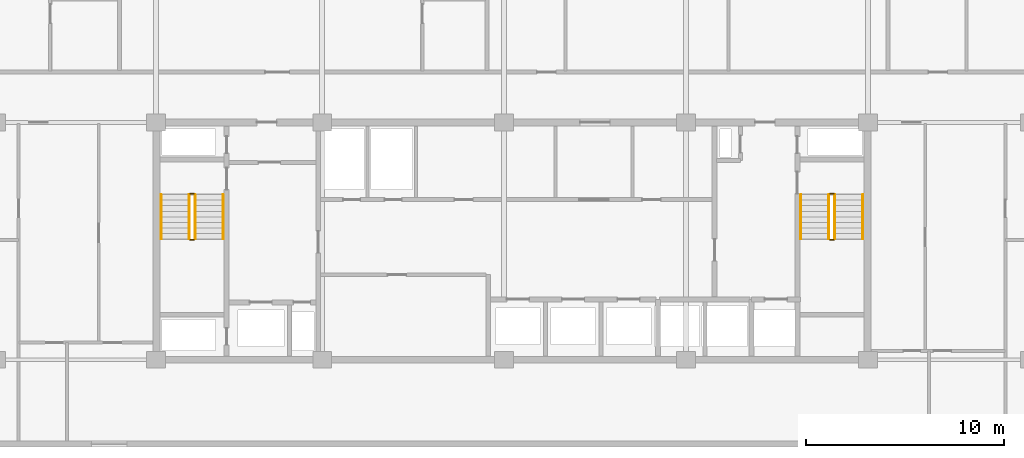
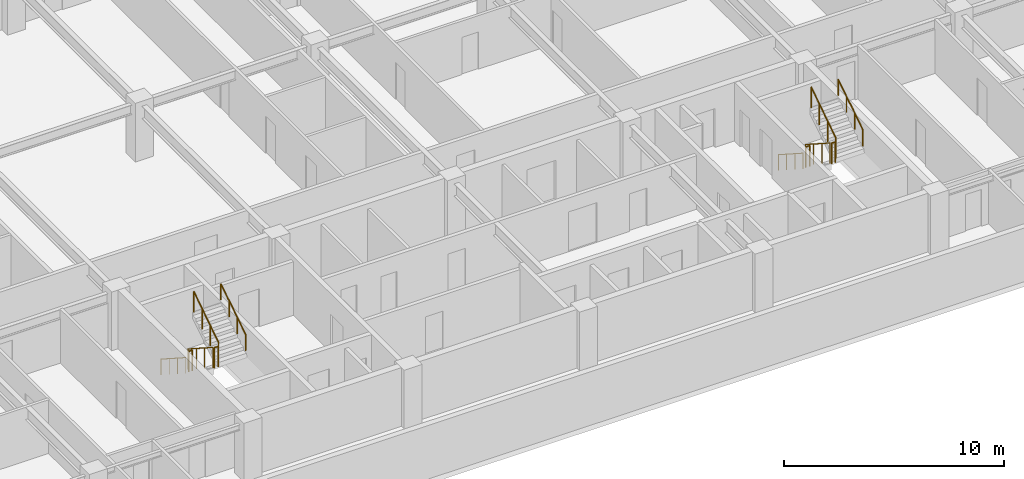
# One storey, part 21 of 22: 12 railings.
"""IFC4 building model written with IfcOpenShell, lengths in metres."""

from ifc_helpers import new_model, si_unit, direction, frame, origin, origin_2d, place, context, subcontext, project, spatial, circle, extrude, material, type_object, element, save


model = new_model("IFC4")

# Units and contexts
model_context = context("Model", 3, precision=1e-05, world=origin(), true_north=direction((0.0, 1.0)))
body_context = subcontext(model_context, "Body", "Model", "MODEL_VIEW")
ifc_project = project(units=[si_unit("LENGTHUNIT", "METRE"), si_unit("AREAUNIT", "SQUARE_METRE"), si_unit("VOLUMEUNIT", "CUBIC_METRE"), si_unit("PLANEANGLEUNIT", "RADIAN"), si_unit("MASSUNIT", "GRAM", prefix="KILO")], contexts=[model_context])

# Site, building, storey
site_placement = place(None, origin())
site = spatial("IfcSite", under=ifc_project, at=site_placement, CompositionType="ELEMENT")
building_placement = place(site_placement, origin())
building = spatial("IfcBuilding", under=site, at=building_placement, Name="Korimba Cascade Residences", CompositionType="ELEMENT")
storey_placement = place(building_placement, frame((0.0, 0.0, 126.300048828125)))
storey = spatial("IfcBuildingStorey", under=building, at=storey_placement, Name="L36", CompositionType="ELEMENT", Elevation=126.300048828125)

# Railings
ifc_material_1 = material(Name="Painted Steel Stairwell Guardrail", Category="steel")
railing_type_1 = type_object("IfcRailingType", Name="RLG-ST-GD1150", PredefinedType="GUARDRAIL", material=ifc_material_1)
railing_1_placement = place(storey_placement, frame((77.77001953125, 63.550048828125, 0.180419921875)))
element("IfcRailing", 1, at=railing_1_placement, inside=storey, type_object=railing_type_1, Name="L36 ST-W1 stair guard 1", PredefinedType="GUARDRAIL", context=body_context, shape_type="SweptSolid", body=[
    extrude(circle(Radius=0.02392578125, at=origin_2d()), frame((0.0, 0.0, 1.1259765625), z_axis=(0.0, -0.840394893359, 0.541974559565), x_axis=(1.0, 0.0, 0.0)), (0.0, 0.0, 1.0), 2.665283203125),
    extrude(circle(Radius=0.02099609375, at=origin_2d()), origin(), (0.0, 0.0, 1.0), 1.101806640625),
    extrude(circle(Radius=0.02099609375, at=origin_2d()), frame((0.0, -0.74658203125, 0.4814453125)), (0.0, 0.0, 1.0), 1.101806640625),
    extrude(circle(Radius=0.02099609375, at=origin_2d()), frame((0.0, -1.493408203125, 0.963134765625)), (0.0, 0.0, 1.0), 1.101806640625),
    extrude(circle(Radius=0.02099609375, at=origin_2d()), frame((0.0, -2.239990234375, 1.444580078125)), (0.0, 0.0, 1.0), 1.101806640625),
])
railing_2_placement = place(storey_placement, frame((77.820068359375, 61.260009765625, 1.625)))
element("IfcRailing", 2, at=railing_2_placement, inside=storey, type_object=railing_type_1, Name="L36 ST-W1 stair guard 2", PredefinedType="GUARDRAIL", context=body_context, shape_type="SweptSolid", body=[
    extrude(circle(Radius=0.02392578125, at=origin_2d()), frame((0.0, 0.0, 1.1259765625), z_axis=(1.0, 0.0, 0.0), x_axis=(0.0, 1.0, 0.0)), (0.0, 0.0, 1.0), 0.199951171875),
    extrude(circle(Radius=0.02099609375, at=origin_2d()), origin(), (0.0, 0.0, 1.0), 1.101806640625),
    extrude(circle(Radius=0.02099609375, at=origin_2d()), frame((0.199951171875, 0.0, 0.0)), (0.0, 0.0, 1.0), 1.101806640625),
])
railing_3_placement = place(storey_placement, frame((78.070068359375, 61.31005859375, 1.805419921875)))
element("IfcRailing", 3, at=railing_3_placement, inside=storey, type_object=railing_type_1, Name="L36 ST-W1 stair guard 3", PredefinedType="GUARDRAIL", context=body_context, shape_type="SweptSolid", body=[
    extrude(circle(Radius=0.02392578125, at=origin_2d()), frame((0.0, 0.0, 1.1259765625), z_axis=(0.0, 0.840394893359, 0.541974559565), x_axis=(-1.0, 0.0, 0.0)), (0.0, 0.0, 1.0), 2.665283203125),
    extrude(circle(Radius=0.02099609375, at=origin_2d()), origin(), (0.0, 0.0, 1.0), 1.101806640625),
    extrude(circle(Radius=0.02099609375, at=origin_2d()), frame((0.0, 0.74658203125, 0.4814453125)), (0.0, 0.0, 1.0), 1.101806640625),
    extrude(circle(Radius=0.02099609375, at=origin_2d()), frame((0.0, 1.493408203125, 0.963134765625)), (0.0, 0.0, 1.0), 1.101806640625),
    extrude(circle(Radius=0.02099609375, at=origin_2d()), frame((0.0, 2.239990234375, 1.444580078125)), (0.0, 0.0, 1.0), 1.101806640625),
])
railing_4_placement = place(storey_placement, frame((77.820068359375, 63.60009765625, 0.0)))
element("IfcRailing", 4, at=railing_4_placement, inside=storey, type_object=railing_type_1, Name="L36 ST-W1 stair guard 4", PredefinedType="GUARDRAIL", context=body_context, shape_type="SweptSolid", body=[
    extrude(circle(Radius=0.02392578125, at=origin_2d()), frame((0.0, 0.0, 1.1259765625), z_axis=(1.0, 0.0, 0.0), x_axis=(0.0, 1.0, 0.0)), (0.0, 0.0, 1.0), 0.199951171875),
    extrude(circle(Radius=0.02099609375, at=origin_2d()), origin(), (0.0, 0.0, 1.0), 1.101806640625),
    extrude(circle(Radius=0.02099609375, at=origin_2d()), frame((0.199951171875, 0.0, 0.0)), (0.0, 0.0, 1.0), 1.101806640625),
])
railing_5_placement = place(storey_placement, frame((110.1298828125, 63.550048828125, 0.180419921875)))
element("IfcRailing", 5, at=railing_5_placement, inside=storey, type_object=railing_type_1, Name="L36 ST-W2 stair guard 1", PredefinedType="GUARDRAIL", context=body_context, shape_type="SweptSolid", body=[
    extrude(circle(Radius=0.02392578125, at=origin_2d()), frame((0.0, 0.0, 1.1259765625), z_axis=(0.0, -0.840394893359, 0.541974559565), x_axis=(1.0, 0.0, 0.0)), (0.0, 0.0, 1.0), 2.665283203125),
    extrude(circle(Radius=0.02099609375, at=origin_2d()), origin(), (0.0, 0.0, 1.0), 1.101806640625),
    extrude(circle(Radius=0.02099609375, at=origin_2d()), frame((0.0, -0.74658203125, 0.4814453125)), (0.0, 0.0, 1.0), 1.101806640625),
    extrude(circle(Radius=0.02099609375, at=origin_2d()), frame((0.0, -1.493408203125, 0.963134765625)), (0.0, 0.0, 1.0), 1.101806640625),
    extrude(circle(Radius=0.02099609375, at=origin_2d()), frame((0.0, -2.239990234375, 1.444580078125)), (0.0, 0.0, 1.0), 1.101806640625),
])
railing_6_placement = place(storey_placement, frame((110.179931640625, 61.260009765625, 1.625)))
element("IfcRailing", 6, at=railing_6_placement, inside=storey, type_object=railing_type_1, Name="L36 ST-W2 stair guard 2", PredefinedType="GUARDRAIL", context=body_context, shape_type="SweptSolid", body=[
    extrude(circle(Radius=0.02392578125, at=origin_2d()), frame((0.0, 0.0, 1.1259765625), z_axis=(1.0, 0.0, 0.0), x_axis=(0.0, 1.0, 0.0)), (0.0, 0.0, 1.0), 0.199951171875),
    extrude(circle(Radius=0.02099609375, at=origin_2d()), origin(), (0.0, 0.0, 1.0), 1.101806640625),
    extrude(circle(Radius=0.02099609375, at=origin_2d()), frame((0.199951171875, 0.0, 0.0)), (0.0, 0.0, 1.0), 1.101806640625),
])
railing_7_placement = place(storey_placement, frame((110.429931640625, 61.31005859375, 1.805419921875)))
element("IfcRailing", 7, at=railing_7_placement, inside=storey, type_object=railing_type_1, Name="L36 ST-W2 stair guard 3", PredefinedType="GUARDRAIL", context=body_context, shape_type="SweptSolid", body=[
    extrude(circle(Radius=0.02392578125, at=origin_2d()), frame((0.0, 0.0, 1.1259765625), z_axis=(0.0, 0.840394893359, 0.541974559565), x_axis=(-1.0, 0.0, 0.0)), (0.0, 0.0, 1.0), 2.665283203125),
    extrude(circle(Radius=0.02099609375, at=origin_2d()), origin(), (0.0, 0.0, 1.0), 1.101806640625),
    extrude(circle(Radius=0.02099609375, at=origin_2d()), frame((0.0, 0.74658203125, 0.4814453125)), (0.0, 0.0, 1.0), 1.101806640625),
    extrude(circle(Radius=0.02099609375, at=origin_2d()), frame((0.0, 1.493408203125, 0.963134765625)), (0.0, 0.0, 1.0), 1.101806640625),
    extrude(circle(Radius=0.02099609375, at=origin_2d()), frame((0.0, 2.239990234375, 1.444580078125)), (0.0, 0.0, 1.0), 1.101806640625),
])
railing_8_placement = place(storey_placement, frame((110.179931640625, 63.60009765625, 0.0)))
element("IfcRailing", 8, at=railing_8_placement, inside=storey, type_object=railing_type_1, Name="L36 ST-W2 stair guard 4", PredefinedType="GUARDRAIL", context=body_context, shape_type="SweptSolid", body=[
    extrude(circle(Radius=0.02392578125, at=origin_2d()), frame((0.0, 0.0, 1.1259765625), z_axis=(1.0, 0.0, 0.0), x_axis=(0.0, 1.0, 0.0)), (0.0, 0.0, 1.0), 0.199951171875),
    extrude(circle(Radius=0.02099609375, at=origin_2d()), origin(), (0.0, 0.0, 1.0), 1.101806640625),
    extrude(circle(Radius=0.02099609375, at=origin_2d()), frame((0.199951171875, 0.0, 0.0)), (0.0, 0.0, 1.0), 1.101806640625),
])
ifc_material_2 = material(Name="Brushed Stainless Steel Handrail", Category="steel")
railing_type_2 = type_object("IfcRailingType", Name="RLG-ST-HR900", PredefinedType="HANDRAIL", material=ifc_material_2)
railing_9_placement = place(storey_placement, frame((76.35009765625, 63.550048828125, 0.364990234375)))
element("IfcRailing", 9, at=railing_9_placement, inside=storey, type_object=railing_type_2, Name="L36 ST-W1 stair handrail 1", PredefinedType="HANDRAIL", context=body_context, shape_type="SweptSolid", body=[
    extrude(circle(Radius=0.02392578125, at=origin_2d()), frame((0.0, 0.0, 0.8759765625), z_axis=(0.0, -0.840436612492, 0.541909863706), x_axis=(1.0, 0.0, 0.0)), (0.0, 0.0, 1.0), 2.665283203125),
    extrude(circle(Radius=0.02099609375, at=origin_2d()), origin(), (0.0, 0.0, 1.0), 0.851806640625),
    extrude(circle(Radius=0.02099609375, at=origin_2d()), frame((0.0, -0.74658203125, 0.4814453125)), (0.0, 0.0, 1.0), 0.851806640625),
    extrude(circle(Radius=0.02099609375, at=origin_2d()), frame((0.0, -1.493408203125, 0.962890625)), (0.0, 0.0, 1.0), 0.851806640625),
    extrude(circle(Radius=0.02099609375, at=origin_2d()), frame((0.0, -2.239990234375, 1.4443359375)), (0.0, 0.0, 1.0), 0.851806640625),
])
railing_10_placement = place(storey_placement, frame((79.489990234375, 61.31005859375, 1.989990234375)))
element("IfcRailing", 10, at=railing_10_placement, inside=storey, type_object=railing_type_2, Name="L36 ST-W1 stair handrail 2", PredefinedType="HANDRAIL", context=body_context, shape_type="SweptSolid", body=[
    extrude(circle(Radius=0.02392578125, at=origin_2d()), frame((0.0, 0.0, 0.8759765625), z_axis=(0.0, 0.840436612492, 0.541909863706), x_axis=(-1.0, 0.0, 0.0)), (0.0, 0.0, 1.0), 2.665283203125),
    extrude(circle(Radius=0.02099609375, at=origin_2d()), origin(), (0.0, 0.0, 1.0), 0.851806640625),
    extrude(circle(Radius=0.02099609375, at=origin_2d()), frame((0.0, 0.74658203125, 0.4814453125)), (0.0, 0.0, 1.0), 0.851806640625),
    extrude(circle(Radius=0.02099609375, at=origin_2d()), frame((0.0, 1.493408203125, 0.962890625)), (0.0, 0.0, 1.0), 0.851806640625),
    extrude(circle(Radius=0.02099609375, at=origin_2d()), frame((0.0, 2.239990234375, 1.4443359375)), (0.0, 0.0, 1.0), 0.851806640625),
])
railing_11_placement = place(storey_placement, frame((108.7099609375, 63.550048828125, 0.364990234375)))
element("IfcRailing", 11, at=railing_11_placement, inside=storey, type_object=railing_type_2, Name="L36 ST-W2 stair handrail 1", PredefinedType="HANDRAIL", context=body_context, shape_type="SweptSolid", body=[
    extrude(circle(Radius=0.02392578125, at=origin_2d()), frame((0.0, 0.0, 0.8759765625), z_axis=(0.0, -0.840436612492, 0.541909863706), x_axis=(1.0, 0.0, 0.0)), (0.0, 0.0, 1.0), 2.665283203125),
    extrude(circle(Radius=0.02099609375, at=origin_2d()), origin(), (0.0, 0.0, 1.0), 0.851806640625),
    extrude(circle(Radius=0.02099609375, at=origin_2d()), frame((0.0, -0.74658203125, 0.4814453125)), (0.0, 0.0, 1.0), 0.851806640625),
    extrude(circle(Radius=0.02099609375, at=origin_2d()), frame((0.0, -1.493408203125, 0.962890625)), (0.0, 0.0, 1.0), 0.851806640625),
    extrude(circle(Radius=0.02099609375, at=origin_2d()), frame((0.0, -2.239990234375, 1.4443359375)), (0.0, 0.0, 1.0), 0.851806640625),
])
railing_12_placement = place(storey_placement, frame((111.85009765625, 61.31005859375, 1.989990234375)))
element("IfcRailing", 12, at=railing_12_placement, inside=storey, type_object=railing_type_2, Name="L36 ST-W2 stair handrail 2", PredefinedType="HANDRAIL", context=body_context, shape_type="SweptSolid", body=[
    extrude(circle(Radius=0.02392578125, at=origin_2d()), frame((0.0, 0.0, 0.8759765625), z_axis=(0.0, 0.840436612492, 0.541909863706), x_axis=(-1.0, 0.0, 0.0)), (0.0, 0.0, 1.0), 2.665283203125),
    extrude(circle(Radius=0.02099609375, at=origin_2d()), origin(), (0.0, 0.0, 1.0), 0.851806640625),
    extrude(circle(Radius=0.02099609375, at=origin_2d()), frame((0.0, 0.74658203125, 0.4814453125)), (0.0, 0.0, 1.0), 0.851806640625),
    extrude(circle(Radius=0.02099609375, at=origin_2d()), frame((0.0, 1.493408203125, 0.962890625)), (0.0, 0.0, 1.0), 0.851806640625),
    extrude(circle(Radius=0.02099609375, at=origin_2d()), frame((0.0, 2.239990234375, 1.4443359375)), (0.0, 0.0, 1.0), 0.851806640625),
])

save(model, "model.ifc")
